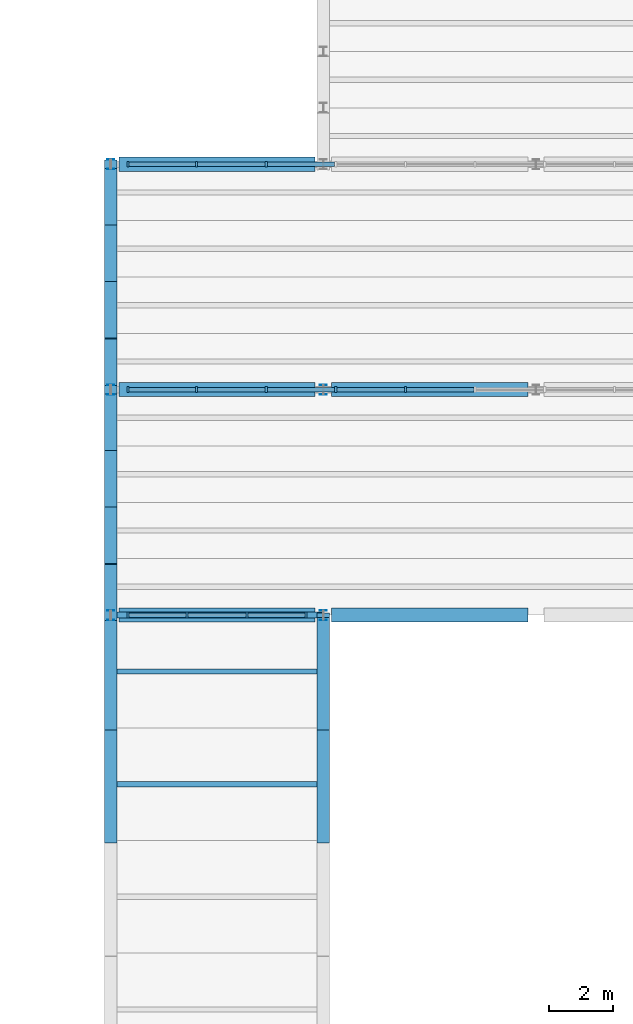
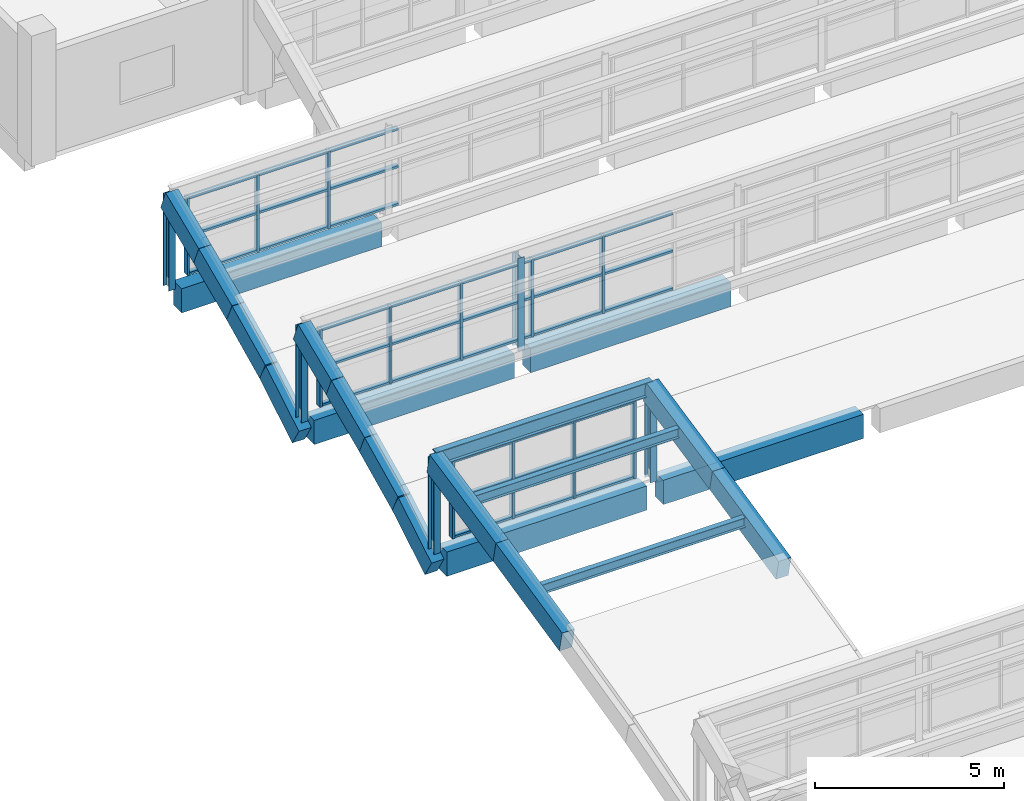
# One storey, part 37 of 92: 53 members, 17 beams, 3 elements without a shape of their own.
"""IFC4 building model written with IfcOpenShell, lengths in metres."""

from ifc_helpers import new_model, si_unit, direction, frame, origin, origin_2d, place, context, subcontext, project, spatial, rectangle, i_section, extrude, material, material_profile, profile_set, type_object, element, aggregate, save


model = new_model("IFC4")

# Units and contexts
model_context = context("Model", 3, precision=1e-05, world=origin(), true_north=direction((0.0, 1.0)))
body_context = subcontext(model_context, "Body", "Model", "MODEL_VIEW")
ifc_project = project(units=[si_unit("LENGTHUNIT", "METRE"), si_unit("AREAUNIT", "SQUARE_METRE"), si_unit("VOLUMEUNIT", "CUBIC_METRE"), si_unit("PLANEANGLEUNIT", "RADIAN"), si_unit("MASSUNIT", "GRAM", prefix="KILO")], contexts=[model_context])

# Site, building, storey
site_placement = place(None, origin())
site = spatial("IfcSite", under=ifc_project, at=site_placement, CompositionType="ELEMENT")
building_placement = place(site_placement, origin())
building = spatial("IfcBuilding", under=site, at=building_placement, Name="Ciguamira Faculty of Natural Sciences", CompositionType="ELEMENT")
storey_placement = place(building_placement, frame((0.0, 0.0, 16.800048828125)))
storey = spatial("IfcBuildingStorey", under=building, at=storey_placement, Name="L04", CompositionType="ELEMENT", Elevation=16.800048828125)

# Curtain wall, members
ifc_material_1 = material(Name="Anodized aluminium curtain wall", Category="aluminium")
curtain_wall_type_1 = type_object("IfcCurtainWallType", Name="CurtainWall_CW-05", PredefinedType="USERDEFINED", material=ifc_material_1)
curtain_wall_1_placement = place(storey_placement, origin())
curtain_wall_1 = element("IfcCurtainWall", 1, at=curtain_wall_1_placement, inside=storey, type_object=curtain_wall_type_1, Name="V4 north-light wave 4 clerestory glazing 1", ObjectType="UNITISED CURTAIN WALL", PredefinedType="USERDEFINED")
ifc_material_2 = material(Name="Anodized aluminium mullion", Category="aluminium")
ifc_material_profile_1 = material_profile(ifc_material_2, rectangle(XDim=0.070068359375, YDim=0.179931640625, at=origin_2d()), Name="ALU-MUL-70X180")
ifc_profile_set_1 = profile_set([ifc_material_profile_1], Name="Anodized aluminium mullion")
member_type_1 = type_object("IfcMemberType", Name="CWMullion_CWM-02", PredefinedType="MULLION", material=ifc_profile_set_1)
member_1_placement = place(storey_placement, frame((57.8349609375, 73.0, 0.25), z_axis=(0.0, 0.0, 1.0), x_axis=(1.0, 0.0, 0.0)))
member_1 = element("IfcMember", 2, at=member_1_placement, type_object=member_type_1, Name="CW-05 mullion 1", PredefinedType="MULLION", context=body_context, shape_type="SweptSolid", body=[
    extrude(rectangle(XDim=0.070068359375, YDim=0.179931640625, at=origin_2d()), origin(), (0.0, 0.0, 1.0), 2.5),
])
member_2_placement = place(storey_placement, frame((59.666748046875, 73.0, 0.25), z_axis=(0.0, 0.0, 1.0), x_axis=(1.0, 0.0, 0.0)))
member_2 = element("IfcMember", 3, at=member_2_placement, type_object=member_type_1, Name="CW-05 mullion 2", PredefinedType="MULLION", context=body_context, shape_type="SweptSolid", body=[
    extrude(rectangle(XDim=0.070068359375, YDim=0.179931640625, at=origin_2d()), origin(), (0.0, 0.0, 1.0), 2.5),
])
member_3_placement = place(storey_placement, frame((61.533447265625, 73.0, 0.25), z_axis=(0.0, 0.0, 1.0), x_axis=(1.0, 0.0, 0.0)))
member_3 = element("IfcMember", 4, at=member_3_placement, type_object=member_type_1, Name="CW-05 mullion 3", PredefinedType="MULLION", context=body_context, shape_type="SweptSolid", body=[
    extrude(rectangle(XDim=0.070068359375, YDim=0.179931640625, at=origin_2d()), origin(), (0.0, 0.0, 1.0), 2.5),
])
member_4_placement = place(storey_placement, frame((63.364990234375, 73.0, 0.25), z_axis=(0.0, 0.0, 1.0), x_axis=(1.0, 0.0, 0.0)))
member_4 = element("IfcMember", 5, at=member_4_placement, type_object=member_type_1, Name="CW-05 mullion 4", PredefinedType="MULLION", context=body_context, shape_type="SweptSolid", body=[
    extrude(rectangle(XDim=0.070068359375, YDim=0.179931640625, at=origin_2d()), origin(), (0.0, 0.0, 1.0), 2.5),
])

curtain_wall_type_2 = type_object("IfcCurtainWallType", Name="CurtainWall_CW-07", PredefinedType="USERDEFINED", material=ifc_material_1)
curtain_wall_2_placement = place(storey_placement, origin())
curtain_wall_2 = element("IfcCurtainWall", 6, at=curtain_wall_2_placement, inside=storey, type_object=curtain_wall_type_2, Name="V4 north-light wave 5 clerestory glazing 1", ObjectType="UNITISED CURTAIN WALL", PredefinedType="USERDEFINED")
member_5_placement = place(storey_placement, frame((57.8349609375, 80.0, 0.25), z_axis=(0.0, 0.0, 1.0), x_axis=(1.0, 0.0, 0.0)))
member_5 = element("IfcMember", 7, at=member_5_placement, type_object=member_type_1, Name="CW-07 mullion 1", PredefinedType="MULLION", context=body_context, shape_type="SweptSolid", body=[
    extrude(rectangle(XDim=0.070068359375, YDim=0.179931640625, at=origin_2d()), origin(), (0.0, 0.0, 1.0), 2.5),
])
member_6_placement = place(storey_placement, frame((59.962890625, 80.0, 0.25), z_axis=(0.0, 0.0, 1.0), x_axis=(1.0, 0.0, 0.0)))
member_6 = element("IfcMember", 8, at=member_6_placement, type_object=member_type_1, Name="CW-07 mullion 2", PredefinedType="MULLION", context=body_context, shape_type="SweptSolid", body=[
    extrude(rectangle(XDim=0.070068359375, YDim=0.179931640625, at=origin_2d()), origin(), (0.0, 0.0, 1.0), 2.5),
])
member_7_placement = place(storey_placement, frame((62.1259765625, 80.0, 0.25), z_axis=(0.0, 0.0, 1.0), x_axis=(1.0, 0.0, 0.0)))
member_7 = element("IfcMember", 9, at=member_7_placement, type_object=member_type_1, Name="CW-07 mullion 3", PredefinedType="MULLION", context=body_context, shape_type="SweptSolid", body=[
    extrude(rectangle(XDim=0.070068359375, YDim=0.179931640625, at=origin_2d()), origin(), (0.0, 0.0, 1.0), 2.5),
])
member_8_placement = place(storey_placement, frame((64.288818359375, 80.0, 0.25), z_axis=(0.0, 0.0, 1.0), x_axis=(1.0, 0.0, 0.0)))
member_8 = element("IfcMember", 10, at=member_8_placement, type_object=member_type_1, Name="CW-07 mullion 4", PredefinedType="MULLION", context=body_context, shape_type="SweptSolid", body=[
    extrude(rectangle(XDim=0.070068359375, YDim=0.179931640625, at=origin_2d()), origin(), (0.0, 0.0, 1.0), 2.5),
])
member_9_placement = place(storey_placement, frame((66.451904296875, 80.0, 0.25), z_axis=(0.0, 0.0, 1.0), x_axis=(1.0, 0.0, 0.0)))
member_9 = element("IfcMember", 11, at=member_9_placement, type_object=member_type_1, Name="CW-07 mullion 5", PredefinedType="MULLION", context=body_context, shape_type="SweptSolid", body=[
    extrude(rectangle(XDim=0.070068359375, YDim=0.179931640625, at=origin_2d()), origin(), (0.0, 0.0, 1.0), 2.5),
])

curtain_wall_type_3 = type_object("IfcCurtainWallType", Name="CurtainWall_CW-08", PredefinedType="USERDEFINED", material=ifc_material_1)
curtain_wall_3_placement = place(storey_placement, origin())
curtain_wall_3 = element("IfcCurtainWall", 12, at=curtain_wall_3_placement, inside=storey, type_object=curtain_wall_type_3, Name="V4 north-light wave 6 clerestory glazing 1", ObjectType="UNITISED CURTAIN WALL", PredefinedType="USERDEFINED")
member_10_placement = place(storey_placement, frame((57.8349609375, 87.0, 0.25), z_axis=(0.0, 0.0, 1.0), x_axis=(1.0, 0.0, 0.0)))
member_10 = element("IfcMember", 13, at=member_10_placement, type_object=member_type_1, Name="CW-08 mullion 1", PredefinedType="MULLION", context=body_context, shape_type="SweptSolid", body=[
    extrude(rectangle(XDim=0.070068359375, YDim=0.179931640625, at=origin_2d()), origin(), (0.0, 0.0, 1.0), 2.5),
])
member_11_placement = place(storey_placement, frame((59.962890625, 87.0, 0.25), z_axis=(0.0, 0.0, 1.0), x_axis=(1.0, 0.0, 0.0)))
member_11 = element("IfcMember", 14, at=member_11_placement, type_object=member_type_1, Name="CW-08 mullion 2", PredefinedType="MULLION", context=body_context, shape_type="SweptSolid", body=[
    extrude(rectangle(XDim=0.070068359375, YDim=0.179931640625, at=origin_2d()), origin(), (0.0, 0.0, 1.0), 2.5),
])
member_12_placement = place(storey_placement, frame((62.1259765625, 87.0, 0.25), z_axis=(0.0, 0.0, 1.0), x_axis=(1.0, 0.0, 0.0)))
member_12 = element("IfcMember", 15, at=member_12_placement, type_object=member_type_1, Name="CW-08 mullion 3", PredefinedType="MULLION", context=body_context, shape_type="SweptSolid", body=[
    extrude(rectangle(XDim=0.070068359375, YDim=0.179931640625, at=origin_2d()), origin(), (0.0, 0.0, 1.0), 2.5),
])

# Member
ifc_material_3 = material(Name="Anodized aluminium transom", Category="aluminium")
ifc_material_profile_2 = material_profile(ifc_material_3, rectangle(XDim=0.070068359375, YDim=0.139892578125, at=origin_2d()), Name="ALU-TRN-70X140")
ifc_profile_set_2 = profile_set([ifc_material_profile_2], Name="Anodized aluminium transom")
member_type_2 = type_object("IfcMemberType", Name="CWTransom_CWT-02", PredefinedType="USERDEFINED", material=ifc_profile_set_2)
member_13_placement = place(storey_placement, frame((57.8701171875, 73.0, 0.284912109375), z_axis=(1.0, 0.0, 0.0), x_axis=(0.0, 0.0, 1.0)))
member_13 = element("IfcMember", 16, at=member_13_placement, type_object=member_type_2, Name="CW-05 transom 1.1", ObjectType="TRANSOM", PredefinedType="USERDEFINED", context=body_context, shape_type="SweptSolid", body=[
    extrude(rectangle(XDim=0.070068359375, YDim=0.139892578125, at=origin_2d()), origin(), (0.0, 0.0, 1.0), 1.761474609375),
])

member_14_placement = place(storey_placement, frame((57.8701171875, 73.0, 1.5), z_axis=(1.0, 0.0, 0.0), x_axis=(0.0, 0.0, 1.0)))
member_14 = element("IfcMember", 17, at=member_14_placement, type_object=member_type_2, Name="CW-05 transom 1.2", ObjectType="TRANSOM", PredefinedType="USERDEFINED", context=body_context, shape_type="SweptSolid", body=[
    extrude(rectangle(XDim=0.070068359375, YDim=0.139892578125, at=origin_2d()), origin(), (0.0, 0.0, 1.0), 1.761474609375),
])

member_15_placement = place(storey_placement, frame((57.8701171875, 73.0, 2.71484375), z_axis=(1.0, 0.0, 0.0), x_axis=(0.0, 0.0, 1.0)))
member_15 = element("IfcMember", 18, at=member_15_placement, type_object=member_type_2, Name="CW-05 transom 1.3", ObjectType="TRANSOM", PredefinedType="USERDEFINED", context=body_context, shape_type="SweptSolid", body=[
    extrude(rectangle(XDim=0.070068359375, YDim=0.139892578125, at=origin_2d()), origin(), (0.0, 0.0, 1.0), 1.761474609375),
])

member_16_placement = place(storey_placement, frame((59.70166015625, 73.0, 0.284912109375), z_axis=(1.0, 0.0, 0.0), x_axis=(0.0, 0.0, 1.0)))
member_16 = element("IfcMember", 19, at=member_16_placement, type_object=member_type_2, Name="CW-05 transom 2.1", ObjectType="TRANSOM", PredefinedType="USERDEFINED", context=body_context, shape_type="SweptSolid", body=[
    extrude(rectangle(XDim=0.070068359375, YDim=0.139892578125, at=origin_2d()), origin(), (0.0, 0.0, 1.0), 1.796630859375),
])

member_17_placement = place(storey_placement, frame((59.70166015625, 73.0, 1.5), z_axis=(1.0, 0.0, 0.0), x_axis=(0.0, 0.0, 1.0)))
member_17 = element("IfcMember", 20, at=member_17_placement, type_object=member_type_2, Name="CW-05 transom 2.2", ObjectType="TRANSOM", PredefinedType="USERDEFINED", context=body_context, shape_type="SweptSolid", body=[
    extrude(rectangle(XDim=0.070068359375, YDim=0.139892578125, at=origin_2d()), origin(), (0.0, 0.0, 1.0), 1.796630859375),
])

member_18_placement = place(storey_placement, frame((59.70166015625, 73.0, 2.71484375), z_axis=(1.0, 0.0, 0.0), x_axis=(0.0, 0.0, 1.0)))
member_18 = element("IfcMember", 21, at=member_18_placement, type_object=member_type_2, Name="CW-05 transom 2.3", ObjectType="TRANSOM", PredefinedType="USERDEFINED", context=body_context, shape_type="SweptSolid", body=[
    extrude(rectangle(XDim=0.070068359375, YDim=0.139892578125, at=origin_2d()), origin(), (0.0, 0.0, 1.0), 1.796630859375),
])

member_19_placement = place(storey_placement, frame((61.568359375, 73.0, 0.284912109375), z_axis=(1.0, 0.0, 0.0), x_axis=(0.0, 0.0, 1.0)))
member_19 = element("IfcMember", 22, at=member_19_placement, type_object=member_type_2, Name="CW-05 transom 3.1", ObjectType="TRANSOM", PredefinedType="USERDEFINED", context=body_context, shape_type="SweptSolid", body=[
    extrude(rectangle(XDim=0.070068359375, YDim=0.139892578125, at=origin_2d()), origin(), (0.0, 0.0, 1.0), 1.76171875),
])

member_20_placement = place(storey_placement, frame((61.568359375, 73.0, 1.5), z_axis=(1.0, 0.0, 0.0), x_axis=(0.0, 0.0, 1.0)))
member_20 = element("IfcMember", 23, at=member_20_placement, type_object=member_type_2, Name="CW-05 transom 3.2", ObjectType="TRANSOM", PredefinedType="USERDEFINED", context=body_context, shape_type="SweptSolid", body=[
    extrude(rectangle(XDim=0.070068359375, YDim=0.139892578125, at=origin_2d()), origin(), (0.0, 0.0, 1.0), 1.76171875),
])

member_21_placement = place(storey_placement, frame((61.568359375, 73.0, 2.71484375), z_axis=(1.0, 0.0, 0.0), x_axis=(0.0, 0.0, 1.0)))
member_21 = element("IfcMember", 24, at=member_21_placement, type_object=member_type_2, Name="CW-05 transom 3.3", ObjectType="TRANSOM", PredefinedType="USERDEFINED", context=body_context, shape_type="SweptSolid", body=[
    extrude(rectangle(XDim=0.070068359375, YDim=0.139892578125, at=origin_2d()), origin(), (0.0, 0.0, 1.0), 1.76171875),
])

aggregate(curtain_wall_1, [member_1, member_2, member_3, member_4, member_13, member_14, member_15, member_16, member_17, member_18, member_19, member_20, member_21])

member_22_placement = place(storey_placement, frame((57.8701171875, 80.0, 0.284912109375), z_axis=(1.0, 0.0, 0.0), x_axis=(0.0, 0.0, 1.0)))
member_22 = element("IfcMember", 25, at=member_22_placement, type_object=member_type_2, Name="CW-07 transom 1.1", ObjectType="TRANSOM", PredefinedType="USERDEFINED", context=body_context, shape_type="SweptSolid", body=[
    extrude(rectangle(XDim=0.070068359375, YDim=0.139892578125, at=origin_2d()), origin(), (0.0, 0.0, 1.0), 2.057861328125),
])

member_23_placement = place(storey_placement, frame((57.8701171875, 80.0, 1.5), z_axis=(1.0, 0.0, 0.0), x_axis=(0.0, 0.0, 1.0)))
member_23 = element("IfcMember", 26, at=member_23_placement, type_object=member_type_2, Name="CW-07 transom 1.2", ObjectType="TRANSOM", PredefinedType="USERDEFINED", context=body_context, shape_type="SweptSolid", body=[
    extrude(rectangle(XDim=0.070068359375, YDim=0.139892578125, at=origin_2d()), origin(), (0.0, 0.0, 1.0), 2.057861328125),
])

member_24_placement = place(storey_placement, frame((57.8701171875, 80.0, 2.71484375), z_axis=(1.0, 0.0, 0.0), x_axis=(0.0, 0.0, 1.0)))
member_24 = element("IfcMember", 27, at=member_24_placement, type_object=member_type_2, Name="CW-07 transom 1.3", ObjectType="TRANSOM", PredefinedType="USERDEFINED", context=body_context, shape_type="SweptSolid", body=[
    extrude(rectangle(XDim=0.070068359375, YDim=0.139892578125, at=origin_2d()), origin(), (0.0, 0.0, 1.0), 2.057861328125),
])

member_25_placement = place(storey_placement, frame((59.998046875, 80.0, 0.284912109375), z_axis=(1.0, 0.0, 0.0), x_axis=(0.0, 0.0, 1.0)))
member_25 = element("IfcMember", 28, at=member_25_placement, type_object=member_type_2, Name="CW-07 transom 2.1", ObjectType="TRANSOM", PredefinedType="USERDEFINED", context=body_context, shape_type="SweptSolid", body=[
    extrude(rectangle(XDim=0.070068359375, YDim=0.139892578125, at=origin_2d()), origin(), (0.0, 0.0, 1.0), 2.0927734375),
])

member_26_placement = place(storey_placement, frame((59.998046875, 80.0, 1.5), z_axis=(1.0, 0.0, 0.0), x_axis=(0.0, 0.0, 1.0)))
member_26 = element("IfcMember", 29, at=member_26_placement, type_object=member_type_2, Name="CW-07 transom 2.2", ObjectType="TRANSOM", PredefinedType="USERDEFINED", context=body_context, shape_type="SweptSolid", body=[
    extrude(rectangle(XDim=0.070068359375, YDim=0.139892578125, at=origin_2d()), origin(), (0.0, 0.0, 1.0), 2.0927734375),
])

member_27_placement = place(storey_placement, frame((59.998046875, 80.0, 2.71484375), z_axis=(1.0, 0.0, 0.0), x_axis=(0.0, 0.0, 1.0)))
member_27 = element("IfcMember", 30, at=member_27_placement, type_object=member_type_2, Name="CW-07 transom 2.3", ObjectType="TRANSOM", PredefinedType="USERDEFINED", context=body_context, shape_type="SweptSolid", body=[
    extrude(rectangle(XDim=0.070068359375, YDim=0.139892578125, at=origin_2d()), origin(), (0.0, 0.0, 1.0), 2.0927734375),
])

member_28_placement = place(storey_placement, frame((62.160888671875, 80.0, 0.284912109375), z_axis=(1.0, 0.0, 0.0), x_axis=(0.0, 0.0, 1.0)))
member_28 = element("IfcMember", 31, at=member_28_placement, type_object=member_type_2, Name="CW-07 transom 3.1", ObjectType="TRANSOM", PredefinedType="USERDEFINED", context=body_context, shape_type="SweptSolid", body=[
    extrude(rectangle(XDim=0.070068359375, YDim=0.139892578125, at=origin_2d()), origin(), (0.0, 0.0, 1.0), 2.093017578125),
])

member_29_placement = place(storey_placement, frame((62.160888671875, 80.0, 1.5), z_axis=(1.0, 0.0, 0.0), x_axis=(0.0, 0.0, 1.0)))
member_29 = element("IfcMember", 32, at=member_29_placement, type_object=member_type_2, Name="CW-07 transom 3.2", ObjectType="TRANSOM", PredefinedType="USERDEFINED", context=body_context, shape_type="SweptSolid", body=[
    extrude(rectangle(XDim=0.070068359375, YDim=0.139892578125, at=origin_2d()), origin(), (0.0, 0.0, 1.0), 2.093017578125),
])

member_30_placement = place(storey_placement, frame((62.160888671875, 80.0, 2.71484375), z_axis=(1.0, 0.0, 0.0), x_axis=(0.0, 0.0, 1.0)))
member_30 = element("IfcMember", 33, at=member_30_placement, type_object=member_type_2, Name="CW-07 transom 3.3", ObjectType="TRANSOM", PredefinedType="USERDEFINED", context=body_context, shape_type="SweptSolid", body=[
    extrude(rectangle(XDim=0.070068359375, YDim=0.139892578125, at=origin_2d()), origin(), (0.0, 0.0, 1.0), 2.093017578125),
])

member_31_placement = place(storey_placement, frame((64.323974609375, 80.0, 0.284912109375), z_axis=(1.0, 0.0, 0.0), x_axis=(0.0, 0.0, 1.0)))
member_31 = element("IfcMember", 34, at=member_31_placement, type_object=member_type_2, Name="CW-07 transom 4.1", ObjectType="TRANSOM", PredefinedType="USERDEFINED", context=body_context, shape_type="SweptSolid", body=[
    extrude(rectangle(XDim=0.070068359375, YDim=0.139892578125, at=origin_2d()), origin(), (0.0, 0.0, 1.0), 2.0927734375),
])

member_32_placement = place(storey_placement, frame((64.323974609375, 80.0, 1.5), z_axis=(1.0, 0.0, 0.0), x_axis=(0.0, 0.0, 1.0)))
member_32 = element("IfcMember", 35, at=member_32_placement, type_object=member_type_2, Name="CW-07 transom 4.2", ObjectType="TRANSOM", PredefinedType="USERDEFINED", context=body_context, shape_type="SweptSolid", body=[
    extrude(rectangle(XDim=0.070068359375, YDim=0.139892578125, at=origin_2d()), origin(), (0.0, 0.0, 1.0), 2.0927734375),
])

member_33_placement = place(storey_placement, frame((64.323974609375, 80.0, 2.71484375), z_axis=(1.0, 0.0, 0.0), x_axis=(0.0, 0.0, 1.0)))
member_33 = element("IfcMember", 36, at=member_33_placement, type_object=member_type_2, Name="CW-07 transom 4.3", ObjectType="TRANSOM", PredefinedType="USERDEFINED", context=body_context, shape_type="SweptSolid", body=[
    extrude(rectangle(XDim=0.070068359375, YDim=0.139892578125, at=origin_2d()), origin(), (0.0, 0.0, 1.0), 2.0927734375),
])

member_34_placement = place(storey_placement, frame((66.48681640625, 80.0, 0.284912109375), z_axis=(1.0, 0.0, 0.0), x_axis=(0.0, 0.0, 1.0)))
member_34 = element("IfcMember", 37, at=member_34_placement, type_object=member_type_2, Name="CW-07 transom 5.1", ObjectType="TRANSOM", PredefinedType="USERDEFINED", context=body_context, shape_type="SweptSolid", body=[
    extrude(rectangle(XDim=0.070068359375, YDim=0.139892578125, at=origin_2d()), origin(), (0.0, 0.0, 1.0), 2.093017578125),
])

member_35_placement = place(storey_placement, frame((66.48681640625, 80.0, 1.5), z_axis=(1.0, 0.0, 0.0), x_axis=(0.0, 0.0, 1.0)))
member_35 = element("IfcMember", 38, at=member_35_placement, type_object=member_type_2, Name="CW-07 transom 5.2", ObjectType="TRANSOM", PredefinedType="USERDEFINED", context=body_context, shape_type="SweptSolid", body=[
    extrude(rectangle(XDim=0.070068359375, YDim=0.139892578125, at=origin_2d()), origin(), (0.0, 0.0, 1.0), 2.093017578125),
])

member_36_placement = place(storey_placement, frame((66.48681640625, 80.0, 2.71484375), z_axis=(1.0, 0.0, 0.0), x_axis=(0.0, 0.0, 1.0)))
member_36 = element("IfcMember", 39, at=member_36_placement, type_object=member_type_2, Name="CW-07 transom 5.3", ObjectType="TRANSOM", PredefinedType="USERDEFINED", context=body_context, shape_type="SweptSolid", body=[
    extrude(rectangle(XDim=0.070068359375, YDim=0.139892578125, at=origin_2d()), origin(), (0.0, 0.0, 1.0), 2.093017578125),
])

aggregate(curtain_wall_2, [member_5, member_6, member_7, member_8, member_9, member_22, member_23, member_24, member_25, member_26, member_27, member_28, member_29, member_30, member_31, member_32, member_33, member_34, member_35, member_36])

member_37_placement = place(storey_placement, frame((57.8701171875, 87.0, 0.284912109375), z_axis=(1.0, 0.0, 0.0), x_axis=(0.0, 0.0, 1.0)))
member_37 = element("IfcMember", 40, at=member_37_placement, type_object=member_type_2, Name="CW-08 transom 1.1", ObjectType="TRANSOM", PredefinedType="USERDEFINED", context=body_context, shape_type="SweptSolid", body=[
    extrude(rectangle(XDim=0.070068359375, YDim=0.139892578125, at=origin_2d()), origin(), (0.0, 0.0, 1.0), 2.057861328125),
])

member_38_placement = place(storey_placement, frame((57.8701171875, 87.0, 1.5), z_axis=(1.0, 0.0, 0.0), x_axis=(0.0, 0.0, 1.0)))
member_38 = element("IfcMember", 41, at=member_38_placement, type_object=member_type_2, Name="CW-08 transom 1.2", ObjectType="TRANSOM", PredefinedType="USERDEFINED", context=body_context, shape_type="SweptSolid", body=[
    extrude(rectangle(XDim=0.070068359375, YDim=0.139892578125, at=origin_2d()), origin(), (0.0, 0.0, 1.0), 2.057861328125),
])

member_39_placement = place(storey_placement, frame((57.8701171875, 87.0, 2.71484375), z_axis=(1.0, 0.0, 0.0), x_axis=(0.0, 0.0, 1.0)))
member_39 = element("IfcMember", 42, at=member_39_placement, type_object=member_type_2, Name="CW-08 transom 1.3", ObjectType="TRANSOM", PredefinedType="USERDEFINED", context=body_context, shape_type="SweptSolid", body=[
    extrude(rectangle(XDim=0.070068359375, YDim=0.139892578125, at=origin_2d()), origin(), (0.0, 0.0, 1.0), 2.057861328125),
])

member_40_placement = place(storey_placement, frame((59.998046875, 87.0, 0.284912109375), z_axis=(1.0, 0.0, 0.0), x_axis=(0.0, 0.0, 1.0)))
member_40 = element("IfcMember", 43, at=member_40_placement, type_object=member_type_2, Name="CW-08 transom 2.1", ObjectType="TRANSOM", PredefinedType="USERDEFINED", context=body_context, shape_type="SweptSolid", body=[
    extrude(rectangle(XDim=0.070068359375, YDim=0.139892578125, at=origin_2d()), origin(), (0.0, 0.0, 1.0), 2.0927734375),
])

member_41_placement = place(storey_placement, frame((59.998046875, 87.0, 1.5), z_axis=(1.0, 0.0, 0.0), x_axis=(0.0, 0.0, 1.0)))
member_41 = element("IfcMember", 44, at=member_41_placement, type_object=member_type_2, Name="CW-08 transom 2.2", ObjectType="TRANSOM", PredefinedType="USERDEFINED", context=body_context, shape_type="SweptSolid", body=[
    extrude(rectangle(XDim=0.070068359375, YDim=0.139892578125, at=origin_2d()), origin(), (0.0, 0.0, 1.0), 2.0927734375),
])

member_42_placement = place(storey_placement, frame((59.998046875, 87.0, 2.71484375), z_axis=(1.0, 0.0, 0.0), x_axis=(0.0, 0.0, 1.0)))
member_42 = element("IfcMember", 45, at=member_42_placement, type_object=member_type_2, Name="CW-08 transom 2.3", ObjectType="TRANSOM", PredefinedType="USERDEFINED", context=body_context, shape_type="SweptSolid", body=[
    extrude(rectangle(XDim=0.070068359375, YDim=0.139892578125, at=origin_2d()), origin(), (0.0, 0.0, 1.0), 2.0927734375),
])

member_43_placement = place(storey_placement, frame((62.160888671875, 87.0, 0.284912109375), z_axis=(1.0, 0.0, 0.0), x_axis=(0.0, 0.0, 1.0)))
member_43 = element("IfcMember", 46, at=member_43_placement, type_object=member_type_2, Name="CW-08 transom 3.1", ObjectType="TRANSOM", PredefinedType="USERDEFINED", context=body_context, shape_type="SweptSolid", body=[
    extrude(rectangle(XDim=0.070068359375, YDim=0.139892578125, at=origin_2d()), origin(), (0.0, 0.0, 1.0), 2.093017578125),
])

member_44_placement = place(storey_placement, frame((62.160888671875, 87.0, 1.5), z_axis=(1.0, 0.0, 0.0), x_axis=(0.0, 0.0, 1.0)))
member_44 = element("IfcMember", 47, at=member_44_placement, type_object=member_type_2, Name="CW-08 transom 3.2", ObjectType="TRANSOM", PredefinedType="USERDEFINED", context=body_context, shape_type="SweptSolid", body=[
    extrude(rectangle(XDim=0.070068359375, YDim=0.139892578125, at=origin_2d()), origin(), (0.0, 0.0, 1.0), 2.093017578125),
])

member_45_placement = place(storey_placement, frame((62.160888671875, 87.0, 2.71484375), z_axis=(1.0, 0.0, 0.0), x_axis=(0.0, 0.0, 1.0)))
member_45 = element("IfcMember", 48, at=member_45_placement, type_object=member_type_2, Name="CW-08 transom 3.3", ObjectType="TRANSOM", PredefinedType="USERDEFINED", context=body_context, shape_type="SweptSolid", body=[
    extrude(rectangle(XDim=0.070068359375, YDim=0.139892578125, at=origin_2d()), origin(), (0.0, 0.0, 1.0), 2.093017578125),
])

aggregate(curtain_wall_3, [member_10, member_11, member_12, member_37, member_38, member_39, member_40, member_41, member_42, member_43, member_44, member_45])

# Beams
ifc_material_4 = material(Name="Concrete C40/50", Category="concrete")
ifc_material_profile_3 = material_profile(ifc_material_4, rectangle(XDim=0.43994140625, YDim=0.780029296875, at=origin_2d()), Name="RC-BM-440X780")
ifc_profile_set_3 = profile_set([ifc_material_profile_3], Name="Concrete C40/50")
beam_type_1 = type_object("IfcBeamType", Name="RCBeam_BG-06_RC-BM-440X780", PredefinedType="BEAM", material=ifc_profile_set_3)
for number, where, z_axis, x_axis, name in (
    (49, (57.550048828125, 73.0, -0.39013671875), (1.0, 0.0, 0.0), (0.0, 1.0, 0.0), "V4 north-light wave 4 RC valley beam NVL-1-1"),
    (50, (57.550048828125, 80.0, -0.39013671875), (1.0, 0.0, 0.0), (0.0, 1.0, 0.0), "V4 north-light wave 5 RC valley beam NVL-1-1"),
):
    element("IfcBeam", number, at=place(storey_placement, frame(where, z_axis=z_axis, x_axis=x_axis)), inside=storey, type_object=beam_type_1, Name=name, PredefinedType="BEAM", context=body_context, shape_type="SweptSolid", body=[
        extrude(rectangle(XDim=0.43994140625, YDim=0.780029296875, at=origin_2d()), origin(), (0.0, 0.0, 1.0), 6.099853515625),
    ])
for number, where, z_axis, x_axis, name in (
    (51, (64.14990234375, 73.0, -0.39013671875), (1.0, 0.0, 0.0), (0.0, 1.0, 0.0), "V4 north-light wave 5 RC valley beam VAL-1-2"),
    (52, (64.14990234375, 80.0, -0.39013671875), (1.0, 0.0, 0.0), (0.0, 1.0, 0.0), "V4 north-light wave 5 RC valley beam NVL-1-2"),
):
    element("IfcBeam", number, at=place(storey_placement, frame(where, z_axis=z_axis, x_axis=x_axis)), inside=storey, type_object=beam_type_1, Name=name, PredefinedType="BEAM", context=body_context, shape_type="SweptSolid", body=[
        extrude(rectangle(XDim=0.43994140625, YDim=0.780029296875, at=origin_2d()), origin(), (0.0, 0.0, 1.0), 6.10009765625),
    ])
beam_1_placement = place(storey_placement, frame((57.550048828125, 87.0, -0.39013671875), z_axis=(1.0, 0.0, 0.0), x_axis=(0.0, 1.0, 0.0)))
element("IfcBeam", 53, at=beam_1_placement, inside=storey, type_object=beam_type_1, Name="V4 north-light wave 6 RC valley beam NVL-1-1", PredefinedType="BEAM", context=body_context, shape_type="SweptSolid", body=[
    extrude(rectangle(XDim=0.43994140625, YDim=0.780029296875, at=origin_2d()), origin(), (0.0, 0.0, 1.0), 6.099853515625),
])
ifc_material_profile_4 = material_profile(ifc_material_4, rectangle(XDim=0.3798828125, YDim=0.679931640625, at=origin_2d()), Name="RC-BM-380X680")
ifc_profile_set_4 = profile_set([ifc_material_profile_4], Name="Concrete C40/50")
beam_type_2 = type_object("IfcBeamType", Name="RCBeam_BG-09_RC-BM-380X680", PredefinedType="BEAM", material=ifc_profile_set_4)
for number, where, z_axis, x_axis, name in (
    (54, (57.300048828125, 66.0, 1.3662109375), (0.0, 0.976284704932, 0.216490588517), (-1.0, 0.0, 0.0), "V4 wave roof RC edge arch rib 4-1-3-1"),
    (55, (63.89990234375, 66.0, 1.3662109375), (0.0, 0.976284704932, 0.216490588517), (-1.0, 0.0, 0.0), "V4 wave roof RC edge arch rib 4-1-3-2"),
):
    element("IfcBeam", number, at=place(storey_placement, frame(where, z_axis=z_axis, x_axis=x_axis)), inside=storey, type_object=beam_type_2, Name=name, PredefinedType="BEAM", context=body_context, shape_type="SweptSolid", body=[
        extrude(rectangle(XDim=0.3798828125, YDim=0.679931640625, at=origin_2d()), origin(), (0.0, 0.0, 1.0), 3.5849609375),
    ])
for number, where, z_axis, x_axis, name in (
    (56, (57.300048828125, 69.5, 2.142333984375), (0.0, 0.978509935938, 0.206199673303), (-1.0, 0.0, 0.0), "V4 wave roof RC edge arch rib 4-1-4-1"),
    (57, (63.89990234375, 69.5, 2.142333984375), (0.0, 0.978509935938, 0.206199673303), (-1.0, 0.0, 0.0), "V4 wave roof RC edge arch rib 4-1-4-2"),
):
    element("IfcBeam", number, at=place(storey_placement, frame(where, z_axis=z_axis, x_axis=x_axis)), inside=storey, type_object=beam_type_2, Name=name, PredefinedType="BEAM", context=body_context, shape_type="SweptSolid", body=[
        extrude(rectangle(XDim=0.3798828125, YDim=0.679931640625, at=origin_2d()), origin(), (0.0, 0.0, 1.0), 3.576904296875),
    ])
beam_2_placement = place(storey_placement, frame((57.300048828125, 73.0, -0.52001953125), z_axis=(0.0, 0.858273746902, 0.513192142749), x_axis=(-1.0, 0.0, 0.0)))
element("IfcBeam", 58, at=beam_2_placement, inside=storey, type_object=beam_type_2, Name="V4 wave roof RC edge arch rib 5-1-1-1", PredefinedType="BEAM", context=body_context, shape_type="SweptSolid", body=[
    extrude(rectangle(XDim=0.3798828125, YDim=0.679931640625, at=origin_2d()), origin(), (0.0, 0.0, 1.0), 2.0390625),
])
beam_3_placement = place(storey_placement, frame((57.300048828125, 74.75, 0.5263671875), z_axis=(0.0, 0.901554457929, 0.432665643872), x_axis=(-1.0, 0.0, 0.0)))
element("IfcBeam", 59, at=beam_3_placement, inside=storey, type_object=beam_type_2, Name="V4 wave roof RC edge arch rib 5-1-2-1", PredefinedType="BEAM", context=body_context, shape_type="SweptSolid", body=[
    extrude(rectangle(XDim=0.3798828125, YDim=0.679931640625, at=origin_2d()), origin(), (0.0, 0.0, 1.0), 1.941162109375),
])
beam_4_placement = place(storey_placement, frame((57.300048828125, 76.5, 1.3662109375), z_axis=(0.0, 0.914132059628, 0.405416548208), x_axis=(-1.0, 0.0, 0.0)))
element("IfcBeam", 60, at=beam_4_placement, inside=storey, type_object=beam_type_2, Name="V4 wave roof RC edge arch rib 5-1-3-1", PredefinedType="BEAM", context=body_context, shape_type="SweptSolid", body=[
    extrude(rectangle(XDim=0.3798828125, YDim=0.679931640625, at=origin_2d()), origin(), (0.0, 0.0, 1.0), 1.914306640625),
])
beam_5_placement = place(storey_placement, frame((57.300048828125, 78.25, 2.142333984375), z_axis=(0.0, 0.921502225808, 0.388373078148), x_axis=(-1.0, 0.0, 0.0)))
element("IfcBeam", 61, at=beam_5_placement, inside=storey, type_object=beam_type_2, Name="V4 wave roof RC edge arch rib 5-1-4-1", PredefinedType="BEAM", context=body_context, shape_type="SweptSolid", body=[
    extrude(rectangle(XDim=0.3798828125, YDim=0.679931640625, at=origin_2d()), origin(), (0.0, 0.0, 1.0), 1.899169921875),
])
beam_6_placement = place(storey_placement, frame((57.300048828125, 80.0, -0.52001953125), z_axis=(0.0, 0.858273746902, 0.513192142749), x_axis=(-1.0, 0.0, 0.0)))
element("IfcBeam", 62, at=beam_6_placement, inside=storey, type_object=beam_type_2, Name="V4 wave roof RC edge arch rib 6-1-1-1", PredefinedType="BEAM", context=body_context, shape_type="SweptSolid", body=[
    extrude(rectangle(XDim=0.3798828125, YDim=0.679931640625, at=origin_2d()), origin(), (0.0, 0.0, 1.0), 2.0390625),
])
beam_7_placement = place(storey_placement, frame((57.300048828125, 81.75, 0.5263671875), z_axis=(0.0, 0.901554457929, 0.432665643872), x_axis=(-1.0, 0.0, 0.0)))
element("IfcBeam", 63, at=beam_7_placement, inside=storey, type_object=beam_type_2, Name="V4 wave roof RC edge arch rib 6-1-2-1", PredefinedType="BEAM", context=body_context, shape_type="SweptSolid", body=[
    extrude(rectangle(XDim=0.3798828125, YDim=0.679931640625, at=origin_2d()), origin(), (0.0, 0.0, 1.0), 1.941162109375),
])
beam_8_placement = place(storey_placement, frame((57.300048828125, 83.5, 1.3662109375), z_axis=(0.0, 0.914132059628, 0.405416548208), x_axis=(-1.0, 0.0, 0.0)))
element("IfcBeam", 64, at=beam_8_placement, inside=storey, type_object=beam_type_2, Name="V4 wave roof RC edge arch rib 6-1-3-1", PredefinedType="BEAM", context=body_context, shape_type="SweptSolid", body=[
    extrude(rectangle(XDim=0.3798828125, YDim=0.679931640625, at=origin_2d()), origin(), (0.0, 0.0, 1.0), 1.914306640625),
])
beam_9_placement = place(storey_placement, frame((57.300048828125, 85.25, 2.142333984375), z_axis=(0.0, 0.921502225808, 0.388373078148), x_axis=(-1.0, 0.0, 0.0)))
element("IfcBeam", 65, at=beam_9_placement, inside=storey, type_object=beam_type_2, Name="V4 wave roof RC edge arch rib 6-1-4-1", PredefinedType="BEAM", context=body_context, shape_type="SweptSolid", body=[
    extrude(rectangle(XDim=0.3798828125, YDim=0.679931640625, at=origin_2d()), origin(), (0.0, 0.0, 1.0), 1.899169921875),
])

# Members
ifc_material_5 = material(Name="Steel ASTM A992 Grade 50", Category="steel")
ifc_material_profile_5 = material_profile(ifc_material_5, i_section(OverallWidth=0.164794921875, OverallDepth=0.309814453125, WebThickness=0.005859375, FlangeThickness=0.009765625, at=origin_2d()), Name="W12X26")
ifc_profile_set_5 = profile_set([ifc_material_profile_5], Name="Steel ASTM A992 Grade 50")
member_type_3 = type_object("IfcMemberType", Name="SteelMember_PR-02_W12X26", PredefinedType="PURLIN", material=ifc_profile_set_5)
for number, where, z_axis, x_axis, name in (
    (66, (57.300048828125, 67.75, 1.8994140625), (1.0, 0.0, 0.0), (0.0, 1.0, 0.0), "V4 wave roof steel purlin 4-1-3"),
    (67, (57.300048828125, 71.25, 2.65625), (1.0, 0.0, 0.0), (0.0, 1.0, 0.0), "V4 wave roof steel purlin 4-1-4"),
):
    element("IfcMember", number, at=place(storey_placement, frame(where, z_axis=z_axis, x_axis=x_axis)), inside=storey, type_object=member_type_3, Name=name, PredefinedType="PURLIN", context=body_context, shape_type="SweptSolid", body=[
        extrude(i_section(OverallWidth=0.164794921875, OverallDepth=0.309814453125, WebThickness=0.005859375, FlangeThickness=0.009765625, at=origin_2d()), origin(), (0.0, 0.0, 1.0), 6.599853515625),
    ])
ifc_material_profile_6 = material_profile(ifc_material_5, i_section(OverallWidth=0.19287109375, OverallDepth=0.46728515625, WebThickness=0.011474609375, FlangeThickness=0.01904296875, at=origin_2d()), Name="W18X65")
ifc_profile_set_6 = profile_set([ifc_material_profile_6], Name="Steel ASTM A992 Grade 50")
member_type_4 = type_object("IfcMemberType", Name="SteelMember_TC-01_W18X65", PredefinedType="CHORD", material=ifc_profile_set_6)
member_46_placement = place(storey_placement, frame((57.300048828125, 73.0, 2.986328125), z_axis=(1.0, 0.0, 0.0), x_axis=(0.0, 1.0, 0.0)))
element("IfcMember", 68, at=member_46_placement, inside=storey, type_object=member_type_4, Name="V4 north-light wave 4 crest chord 1", PredefinedType="CHORD", context=body_context, shape_type="SweptSolid", body=[
    extrude(i_section(OverallWidth=0.19287109375, OverallDepth=0.46728515625, WebThickness=0.011474609375, FlangeThickness=0.01904296875, at=origin_2d()), origin(), (0.0, 0.0, 1.0), 6.599853515625),
])
ifc_material_profile_7 = material_profile(ifc_material_5, i_section(OverallWidth=0.20458984375, OverallDepth=0.307373046875, WebThickness=0.008544921875, FlangeThickness=0.0146484375, at=origin_2d()), Name="W12X45")
ifc_profile_set_7 = profile_set([ifc_material_profile_7], Name="Steel ASTM A992 Grade 50")
member_type_5 = type_object("IfcMemberType", Name="SteelMember_TS-01_W12X45", PredefinedType="STRUT", material=ifc_profile_set_7)
for number, where, z_axis, x_axis, name in (
    (69, (57.300048828125, 73.0, 0.0), (0.0, 0.0, 1.0), (1.0, 0.0, 0.0), "V4 north-light wave 4 clerestory post 57"),
    (70, (63.89990234375, 73.0, 0.0), (0.0, 0.0, 1.0), (1.0, 0.0, 0.0), "V4 north-light wave 4 clerestory post 64"),
    (71, (57.300048828125, 80.0, 0.0), (0.0, 0.0, 1.0), (1.0, 0.0, 0.0), "V4 north-light wave 5 clerestory post 57"),
    (72, (63.89990234375, 80.0, 0.0), (0.0, 0.0, 1.0), (1.0, 0.0, 0.0), "V4 north-light wave 5 clerestory post 64"),
    (73, (57.300048828125, 87.0, 0.0), (0.0, 0.0, 1.0), (1.0, 0.0, 0.0), "V4 north-light wave 6 clerestory post 57"),
):
    element("IfcMember", number, at=place(storey_placement, frame(where, z_axis=z_axis, x_axis=x_axis)), inside=storey, type_object=member_type_5, Name=name, PredefinedType="STRUT", context=body_context, shape_type="SweptSolid", body=[
        extrude(i_section(OverallWidth=0.20458984375, OverallDepth=0.307373046875, WebThickness=0.008544921875, FlangeThickness=0.0146484375, at=origin_2d()), origin(), (0.0, 0.0, 1.0), 2.986328125),
    ])

save(model, "model.ifc")
